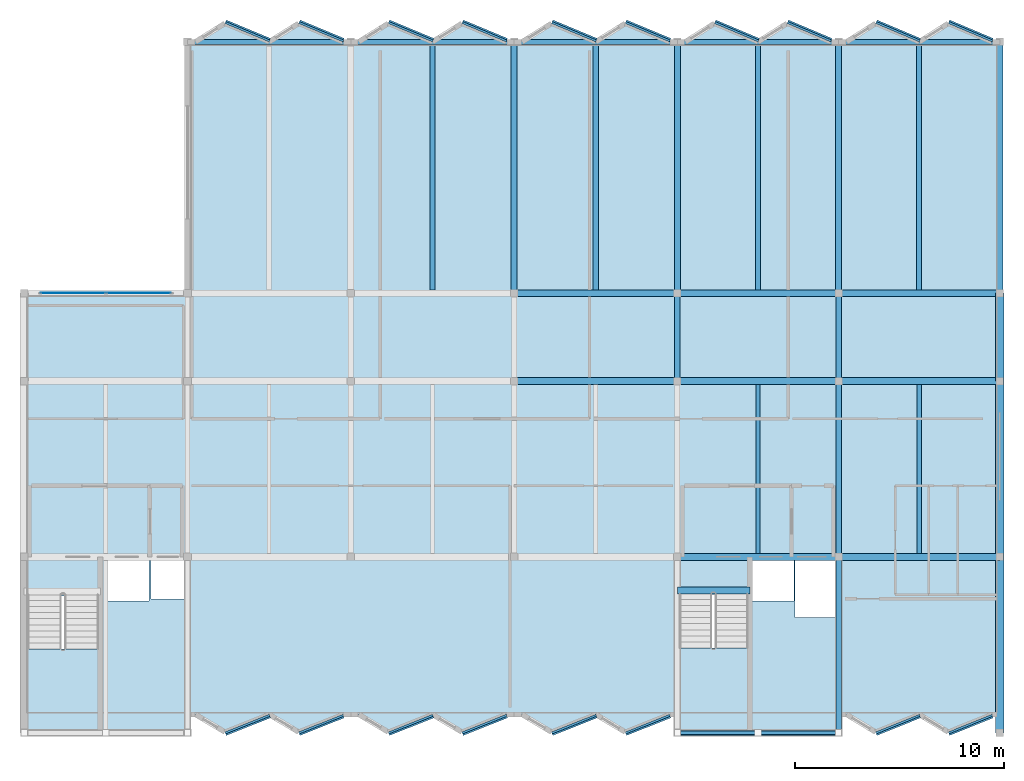
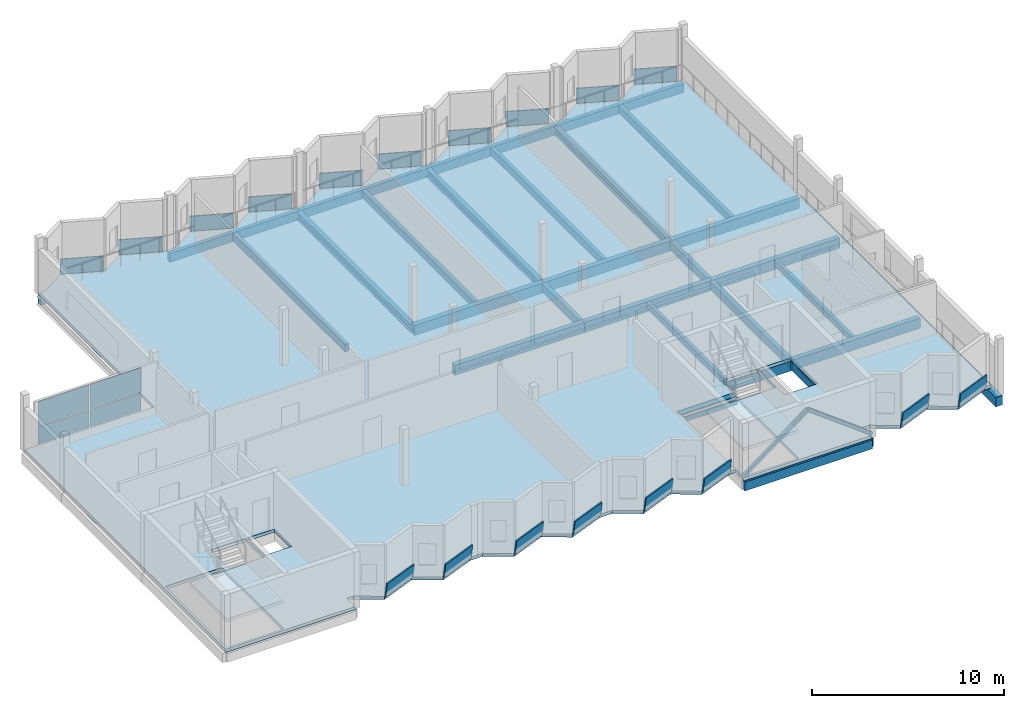
# One storey, part 3 of 11: 32 beams, 22 plates, 3 slabs, 2 members, 3 elements without a shape of their own.
"""IFC4 building model written with IfcOpenShell, lengths in metres."""

from ifc_helpers import new_model, si_unit, direction, frame, origin, origin_2d, place, context, subcontext, project, spatial, polyline, rectangle, hollow_rectangle, i_section, outline, extrude, material, layer, layer_set, material_profile, profile_set, type_object, element, aggregate, save


model = new_model("IFC4")

# Units and contexts
model_context = context("Model", 3, precision=1e-05, world=origin(), true_north=direction((0.0, 1.0)))
body_context = subcontext(model_context, "Body", "Model", "MODEL_VIEW")
ifc_project = project(units=[si_unit("LENGTHUNIT", "METRE"), si_unit("AREAUNIT", "SQUARE_METRE"), si_unit("VOLUMEUNIT", "CUBIC_METRE"), si_unit("PLANEANGLEUNIT", "RADIAN"), si_unit("MASSUNIT", "GRAM", prefix="KILO")], contexts=[model_context])

# Site, building, storey
site_placement = place(None, origin())
site = spatial("IfcSite", under=ifc_project, at=site_placement, CompositionType="ELEMENT")
building_placement = place(site_placement, origin())
building = spatial("IfcBuilding", under=site, at=building_placement, Name="Vharandega Faculty of Natural Sciences", CompositionType="ELEMENT")
storey_placement = place(building_placement, frame((0.0, 0.0, 39.60009765625)))
storey = spatial("IfcBuildingStorey", under=building, at=storey_placement, Name="L10", CompositionType="ELEMENT", Elevation=39.60009765625)

# Beams
ifc_material_1 = material(Name="Glulam GL28h", Category="wood")
ifc_material_profile_1 = material_profile(ifc_material_1, rectangle(XDim=0.260009765625, YDim=0.52001953125, at=origin_2d()), Name="GL28h 260x520")
ifc_profile_set_1 = profile_set([ifc_material_profile_1], Name="Glulam GL28h")
beam_type_1 = type_object("IfcBeamType", Name="Glulam Floor Beam 260x520", PredefinedType="BEAM", material=ifc_profile_set_1)
beam_1_placement = place(storey_placement, frame((146.0, 80.800048828125, -0.460205078125), z_axis=(0.0, 1.0, 0.0), x_axis=(-1.0, 0.0, 0.0)))
element("IfcBeam", 1, at=beam_1_placement, inside=storey, type_object=beam_type_1, Name="Beam L10 19/L-M", PredefinedType="BEAM", context=body_context, shape_type="SweptSolid", body=[
    extrude(rectangle(XDim=0.260009765625, YDim=0.52001953125, at=origin_2d()), origin(), (0.0, 0.0, 1.0), 4.199951171875),
])
beam_2_placement = place(storey_placement, frame((153.699951171875, 64.0, -0.460205078125), z_axis=(0.0, 1.0, 0.0), x_axis=(-1.0, 0.0, 0.0)))
element("IfcBeam", 2, at=beam_2_placement, inside=storey, type_object=beam_type_1, Name="Beam L10 20/J-K", PredefinedType="BEAM", context=body_context, shape_type="SweptSolid", body=[
    extrude(rectangle(XDim=0.260009765625, YDim=0.52001953125, at=origin_2d()), origin(), (0.0, 0.0, 1.0), 8.39990234375),
])
beam_3_placement = place(storey_placement, frame((153.699951171875, 72.39990234375, -0.460205078125), z_axis=(0.0, 1.0, 0.0), x_axis=(-1.0, 0.0, 0.0)))
element("IfcBeam", 3, at=beam_3_placement, inside=storey, type_object=beam_type_1, Name="Beam L10 20/K-L", PredefinedType="BEAM", context=body_context, shape_type="SweptSolid", body=[
    extrude(rectangle(XDim=0.260009765625, YDim=0.52001953125, at=origin_2d()), origin(), (0.0, 0.0, 1.0), 8.400146484375),
])
beam_4_placement = place(storey_placement, frame((153.699951171875, 80.800048828125, -0.460205078125), z_axis=(0.0, 1.0, 0.0), x_axis=(-1.0, 0.0, 0.0)))
element("IfcBeam", 4, at=beam_4_placement, inside=storey, type_object=beam_type_1, Name="Beam L10 20/L-M", PredefinedType="BEAM", context=body_context, shape_type="SweptSolid", body=[
    extrude(rectangle(XDim=0.260009765625, YDim=0.52001953125, at=origin_2d()), origin(), (0.0, 0.0, 1.0), 4.199951171875),
])
ifc_material_2 = material(Name="Glulam GL28h", Category="wood")
ifc_material_profile_2 = material_profile(ifc_material_2, rectangle(XDim=0.320068359375, YDim=0.639892578125, at=origin_2d()), Name="GL28h 320x640")
ifc_profile_set_2 = profile_set([ifc_material_profile_2], Name="Glulam GL28h")
beam_type_2 = type_object("IfcBeamType", Name="Glulam Floor Beam 320x640", PredefinedType="BEAM", material=ifc_profile_set_2)
for number, where, z_axis, x_axis, name in (
    (5, (146.0, 72.39990234375, -0.52001953125), (1.0, 0.0, 0.0), (0.0, 1.0, 0.0), "Beam L10 K/19-20"),
    (6, (153.699951171875, 72.39990234375, -0.52001953125), (1.0, 0.0, 0.0), (0.0, 1.0, 0.0), "Beam L10 K/20-21"),
):
    element("IfcBeam", number, at=place(storey_placement, frame(where, z_axis=z_axis, x_axis=x_axis)), inside=storey, type_object=beam_type_2, Name=name, PredefinedType="BEAM", context=body_context, shape_type="SweptSolid", body=[
        extrude(rectangle(XDim=0.320068359375, YDim=0.639892578125, at=origin_2d()), origin(), (0.0, 0.0, 1.0), 7.699951171875),
    ])
beam_5_placement = place(storey_placement, frame((138.199951171875, 80.800048828125, -0.52001953125), z_axis=(1.0, 0.0, 0.0), x_axis=(0.0, 1.0, 0.0)))
element("IfcBeam", 7, at=beam_5_placement, inside=storey, type_object=beam_type_2, Name="Beam L10 L/18-19", PredefinedType="BEAM", context=body_context, shape_type="SweptSolid", body=[
    extrude(rectangle(XDim=0.320068359375, YDim=0.639892578125, at=origin_2d()), origin(), (0.0, 0.0, 1.0), 7.800048828125),
])
for number, where, z_axis, x_axis, name in (
    (8, (146.0, 80.800048828125, -0.52001953125), (1.0, 0.0, 0.0), (0.0, 1.0, 0.0), "Beam L10 L/19-20"),
    (9, (153.699951171875, 80.800048828125, -0.52001953125), (1.0, 0.0, 0.0), (0.0, 1.0, 0.0), "Beam L10 L/20-21"),
):
    element("IfcBeam", number, at=place(storey_placement, frame(where, z_axis=z_axis, x_axis=x_axis)), inside=storey, type_object=beam_type_2, Name=name, PredefinedType="BEAM", context=body_context, shape_type="SweptSolid", body=[
        extrude(rectangle(XDim=0.320068359375, YDim=0.639892578125, at=origin_2d()), origin(), (0.0, 0.0, 1.0), 7.699951171875),
    ])
beam_6_placement = place(storey_placement, frame((138.199951171875, 85.0, -0.52001953125), z_axis=(1.0, 0.0, 0.0), x_axis=(0.0, 1.0, 0.0)))
element("IfcBeam", 10, at=beam_6_placement, inside=storey, type_object=beam_type_2, Name="Beam L10 M/18-19", PredefinedType="BEAM", context=body_context, shape_type="SweptSolid", body=[
    extrude(rectangle(XDim=0.320068359375, YDim=0.639892578125, at=origin_2d()), origin(), (0.0, 0.0, 1.0), 7.800048828125),
])
for number, where, z_axis, x_axis, name in (
    (11, (146.0, 85.0, -0.52001953125), (1.0, 0.0, 0.0), (0.0, 1.0, 0.0), "Beam L10 M/19-20"),
    (12, (153.699951171875, 85.0, -0.52001953125), (1.0, 0.0, 0.0), (0.0, 1.0, 0.0), "Beam L10 M/20-21"),
):
    element("IfcBeam", number, at=place(storey_placement, frame(where, z_axis=z_axis, x_axis=x_axis)), inside=storey, type_object=beam_type_2, Name=name, PredefinedType="BEAM", context=body_context, shape_type="SweptSolid", body=[
        extrude(rectangle(XDim=0.320068359375, YDim=0.639892578125, at=origin_2d()), origin(), (0.0, 0.0, 1.0), 7.699951171875),
    ])
ifc_material_3 = material(Name="Glulam GL28h", Category="wood")
ifc_material_profile_3 = material_profile(ifc_material_3, rectangle(XDim=0.199951171875, YDim=0.39990234375, at=origin_2d()), Name="GL28h 200x400")
ifc_profile_set_3 = profile_set([ifc_material_profile_3], Name="Glulam GL28h")
beam_type_3 = type_object("IfcBeamType", Name="Glulam Secondary Joist 200x400", PredefinedType="JOIST", material=ifc_profile_set_3)
for number, where, z_axis, x_axis, name in (
    (13, (149.85009765625, 72.56005859375, -0.400146484375), (0.0, 1.0, 0.0), (-1.0, 0.0, 0.0), "Secondary Joist L10 19-20/K-L"),
    (14, (157.550048828125, 72.56005859375, -0.400146484375), (0.0, 1.0, 0.0), (-1.0, 0.0, 0.0), "Secondary Joist L10 20-21/K-L"),
):
    element("IfcBeam", number, at=place(storey_placement, frame(where, z_axis=z_axis, x_axis=x_axis)), inside=storey, type_object=beam_type_3, Name=name, PredefinedType="JOIST", context=body_context, shape_type="SweptSolid", body=[
        extrude(rectangle(XDim=0.199951171875, YDim=0.39990234375, at=origin_2d()), origin(), (0.0, 0.0, 1.0), 8.079833984375),
    ])
ifc_material_4 = material(Name="Glulam GL28h", Category="wood")
ifc_material_profile_4 = material_profile(ifc_material_4, rectangle(XDim=0.239990234375, YDim=0.47998046875, at=origin_2d()), Name="GL28h 240x480")
ifc_profile_set_4 = profile_set([ifc_material_profile_4], Name="Glulam GL28h")
beam_type_4 = type_object("IfcBeamType", Name="Glulam Secondary Joist 240x480", PredefinedType="JOIST", material=ifc_profile_set_4)
for number, where, z_axis, x_axis, name in (
    (15, (134.300048828125, 85.159912109375, -0.440185546875), (0.0, 1.0, 0.0), (-1.0, 0.0, 0.0), "Secondary Joist L10 17-18/M-N"),
    (16, (142.10009765625, 85.159912109375, -0.440185546875), (0.0, 1.0, 0.0), (-1.0, 0.0, 0.0), "Secondary Joist L10 18-19/M-N"),
    (17, (149.85009765625, 85.159912109375, -0.440185546875), (0.0, 1.0, 0.0), (-1.0, 0.0, 0.0), "Secondary Joist L10 19-20/M-N"),
    (18, (157.550048828125, 85.159912109375, -0.440185546875), (0.0, 1.0, 0.0), (-1.0, 0.0, 0.0), "Secondary Joist L10 20-21/M-N"),
):
    element("IfcBeam", number, at=place(storey_placement, frame(where, z_axis=z_axis, x_axis=x_axis)), inside=storey, type_object=beam_type_4, Name=name, PredefinedType="JOIST", context=body_context, shape_type="SweptSolid", body=[
        extrude(rectangle(XDim=0.239990234375, YDim=0.47998046875, at=origin_2d()), origin(), (0.0, 0.0, 1.0), 11.719970703125),
    ])
ifc_material_5 = material(Name="Glulam GL28h", Category="wood")
ifc_material_profile_5 = material_profile(ifc_material_5, rectangle(XDim=0.239990234375, YDim=0.56005859375, at=origin_2d()), Name="GL28h 240x560")
ifc_profile_set_5 = profile_set([ifc_material_profile_5], Name="Glulam GL28h")
beam_type_5 = type_object("IfcBeamType", Name="Glulam Spandrel Edge Beam 240x560", PredefinedType="SPANDREL", material=ifc_profile_set_5)
beam_7_placement = place(storey_placement, frame((146.0, 64.0, -0.47998046875), z_axis=(1.0, 0.0, 0.0), x_axis=(0.0, 1.0, 0.0)))
element("IfcBeam", 19, at=beam_7_placement, inside=storey, type_object=beam_type_5, Name="Beam L10 J/19-20", PredefinedType="SPANDREL", context=body_context, shape_type="SweptSolid", body=[
    extrude(rectangle(XDim=0.239990234375, YDim=0.56005859375, at=origin_2d()), origin(), (0.0, 0.0, 1.0), 7.699951171875),
])
beam_8_placement = place(storey_placement, frame((122.60009765625, 97.0, -0.47998046875), z_axis=(1.0, 0.0, 0.0), x_axis=(0.0, 1.0, 0.0)))
element("IfcBeam", 20, at=beam_8_placement, inside=storey, type_object=beam_type_5, Name="Beam L10 N/16-17", PredefinedType="SPANDREL", context=body_context, shape_type="SweptSolid", body=[
    extrude(rectangle(XDim=0.239990234375, YDim=0.56005859375, at=origin_2d()), origin(), (0.0, 0.0, 1.0), 7.7998046875),
])
for number, where, z_axis, x_axis, name in (
    (21, (130.39990234375, 97.0, -0.47998046875), (1.0, 0.0, 0.0), (0.0, 1.0, 0.0), "Beam L10 N/17-18"),
    (22, (138.199951171875, 97.0, -0.47998046875), (1.0, 0.0, 0.0), (0.0, 1.0, 0.0), "Beam L10 N/18-19"),
):
    element("IfcBeam", number, at=place(storey_placement, frame(where, z_axis=z_axis, x_axis=x_axis)), inside=storey, type_object=beam_type_5, Name=name, PredefinedType="SPANDREL", context=body_context, shape_type="SweptSolid", body=[
        extrude(rectangle(XDim=0.239990234375, YDim=0.56005859375, at=origin_2d()), origin(), (0.0, 0.0, 1.0), 7.800048828125),
    ])
for number, where, z_axis, x_axis, name in (
    (23, (146.0, 97.0, -0.47998046875), (1.0, 0.0, 0.0), (0.0, 1.0, 0.0), "Beam L10 N/19-20"),
    (24, (153.699951171875, 97.0, -0.47998046875), (1.0, 0.0, 0.0), (0.0, 1.0, 0.0), "Beam L10 N/20-21"),
):
    element("IfcBeam", number, at=place(storey_placement, frame(where, z_axis=z_axis, x_axis=x_axis)), inside=storey, type_object=beam_type_5, Name=name, PredefinedType="SPANDREL", context=body_context, shape_type="SweptSolid", body=[
        extrude(rectangle(XDim=0.239990234375, YDim=0.56005859375, at=origin_2d()), origin(), (0.0, 0.0, 1.0), 7.699951171875),
    ])
ifc_material_6 = material(Name="Glulam GL32h", Category="wood")
ifc_material_profile_6 = material_profile(ifc_material_6, rectangle(XDim=0.39990234375, YDim=0.60009765625, at=origin_2d()), Name="GL32h 400x600")
ifc_profile_set_6 = profile_set([ifc_material_profile_6], Name="Glulam GL32h")
beam_type_6 = type_object("IfcBeamType", Name="Glulam Spine Girder 400x600", PredefinedType="BEAM", material=ifc_profile_set_6)
beam_9_placement = place(storey_placement, frame((161.39990234375, 64.0, -0.5), z_axis=(0.0, 1.0, 0.0), x_axis=(-1.0, 0.0, 0.0)))
element("IfcBeam", 25, at=beam_9_placement, inside=storey, type_object=beam_type_6, Name="Beam L10 21/J-K", PredefinedType="BEAM", context=body_context, shape_type="SweptSolid", body=[
    extrude(rectangle(XDim=0.39990234375, YDim=0.60009765625, at=origin_2d()), origin(), (0.0, 0.0, 1.0), 8.39990234375),
])
beam_10_placement = place(storey_placement, frame((161.39990234375, 72.39990234375, -0.5), z_axis=(0.0, 1.0, 0.0), x_axis=(-1.0, 0.0, 0.0)))
element("IfcBeam", 26, at=beam_10_placement, inside=storey, type_object=beam_type_6, Name="Beam L10 21/K-L", PredefinedType="BEAM", context=body_context, shape_type="SweptSolid", body=[
    extrude(rectangle(XDim=0.39990234375, YDim=0.60009765625, at=origin_2d()), origin(), (0.0, 0.0, 1.0), 8.400146484375),
])
beam_11_placement = place(storey_placement, frame((161.39990234375, 80.800048828125, -0.5), z_axis=(0.0, 1.0, 0.0), x_axis=(-1.0, 0.0, 0.0)))
element("IfcBeam", 27, at=beam_11_placement, inside=storey, type_object=beam_type_6, Name="Beam L10 21/L-M", PredefinedType="BEAM", context=body_context, shape_type="SweptSolid", body=[
    extrude(rectangle(XDim=0.39990234375, YDim=0.60009765625, at=origin_2d()), origin(), (0.0, 0.0, 1.0), 4.199951171875),
])
ifc_material_7 = material(Name="Concrete C40/50", Category="concrete")
ifc_material_profile_7 = material_profile(ifc_material_7, rectangle(XDim=0.35009765625, YDim=0.550048828125, at=origin_2d()), Name="RC 350x550")
ifc_profile_set_7 = profile_set([ifc_material_profile_7], Name="Concrete C40/50")
beam_type_7 = type_object("IfcBeamType", Name="Stair Header Trimmer Beam 350x550", PredefinedType="BEAM", material=ifc_profile_set_7)
beam_12_placement = place(storey_placement, frame((146.0, 70.800048828125, -0.275146484375), z_axis=(1.0, 0.0, 0.0), x_axis=(0.0, 1.0, 0.0)))
element("IfcBeam", 28, at=beam_12_placement, inside=storey, type_object=beam_type_7, Name="Stair Landing Trimmer Beam C2 L10", PredefinedType="BEAM", context=body_context, shape_type="SweptSolid", body=[
    extrude(rectangle(XDim=0.35009765625, YDim=0.550048828125, at=origin_2d()), origin(), (0.0, 0.0, 1.0), 3.4599609375),
])
ifc_material_8 = material(Name="Steel S355", Category="steel")
ifc_material_profile_8 = material_profile(ifc_material_8, i_section(OverallWidth=0.300048828125, OverallDepth=0.5, WebThickness=0.014404296875, FlangeThickness=0.028076171875, FilletRadius=0.027099609375, at=origin_2d()), Name="HEB 500")
ifc_profile_set_8 = profile_set([ifc_material_profile_8], Name="Steel S355")
beam_type_8 = type_object("IfcBeamType", Name="Steel Collector Beam HEB 500", PredefinedType="BEAM", material=ifc_profile_set_8)
for number, where, z_axis, x_axis, name in (
    (29, (138.199951171875, 85.0, -0.4501953125), (0.0, 1.0, 0.0), (-1.0, 0.0, 0.0), "Beam L10 18/M-N"),
    (30, (146.0, 85.0, -0.4501953125), (0.0, 1.0, 0.0), (-1.0, 0.0, 0.0), "Beam L10 19/M-N"),
    (31, (153.699951171875, 85.0, -0.4501953125), (0.0, 1.0, 0.0), (-1.0, 0.0, 0.0), "Beam L10 20/M-N"),
    (32, (161.39990234375, 85.0, -0.4501953125), (0.0, 1.0, 0.0), (-1.0, 0.0, 0.0), "Beam L10 21/M-N"),
):
    element("IfcBeam", number, at=place(storey_placement, frame(where, z_axis=z_axis, x_axis=x_axis)), inside=storey, type_object=beam_type_8, Name=name, PredefinedType="BEAM", context=body_context, shape_type="SweptSolid", body=[
        extrude(i_section(OverallWidth=0.300048828125, OverallDepth=0.5, WebThickness=0.014404296875, FlangeThickness=0.028076171875, FilletRadius=0.027099609375, at=origin_2d()), origin(), (0.0, 0.0, 1.0), 12.0),
    ])

# Members
ifc_material_9 = material(Name="Steel S355", Category="steel")
ifc_material_profile_9 = material_profile(ifc_material_9, hollow_rectangle(XDim=0.179931640625, YDim=0.179931640625, WallThickness=0.010009765625, at=origin_2d()), Name="SHS 180x180x10")
ifc_profile_set_9 = profile_set([ifc_material_profile_9], Name="Steel S355")
member_type = type_object("IfcMemberType", Name="Timber Frame Diagonal Brace SHS 180", PredefinedType="BRACE", material=ifc_profile_set_9)
member_1_placement = place(storey_placement, frame((146.0, 64.0, 0.14990234375), z_axis=(0.799768682163, 0.0, 0.600308299985), x_axis=(0.0, 1.0, 0.0)))
element("IfcMember", 33, at=member_1_placement, inside=storey, type_object=member_type, Name="Chevron Brace J2 L10-1", PredefinedType="BRACE", context=body_context, shape_type="SweptSolid", body=[
    extrude(hollow_rectangle(XDim=0.179931640625, YDim=0.179931640625, WallThickness=0.010009765625, at=origin_2d()), origin(), (0.0, 0.0, 1.0), 4.81396484375),
])
member_2_placement = place(storey_placement, frame((153.699951171875, 64.0, 0.14990234375), z_axis=(-0.799750405041, 0.0, 0.600332649151), x_axis=(0.0, -1.0, 0.0)))
element("IfcMember", 34, at=member_2_placement, inside=storey, type_object=member_type, Name="Chevron Brace J2 L10-2", PredefinedType="BRACE", context=body_context, shape_type="SweptSolid", body=[
    extrude(hollow_rectangle(XDim=0.179931640625, YDim=0.179931640625, WallThickness=0.010009765625, at=origin_2d()), origin(), (0.0, 0.0, 1.0), 4.813720703125),
])

# Curtain wall, plates
ifc_material_10 = material(Name="Aluminium and solar-control glass curtain wall", Category="aluminium")
curtain_wall_type = type_object("IfcCurtainWallType", Name="Unitised Curtain Wall System CW-04", PredefinedType="NOTDEFINED", material=ifc_material_10)
curtain_wall_placement = place(storey_placement, origin())
curtain_wall = element("IfcCurtainWall", 35, at=curtain_wall_placement, inside=storey, type_object=curtain_wall_type, Name="Curtain Wall CW-L10-031", PredefinedType="NOTDEFINED")
ifc_material_11 = material(Name="Double-glazed low-E solar glass", Category="glass")
ifc_layer_1 = layer(ifc_material_11, 0.028076171875, Name="Double-glazed low-E solar glass")
ifc_layer_set_1 = layer_set([ifc_layer_1], Name="Double-glazed low-E solar glass")
plate_type_1 = type_object("IfcPlateType", Name="CW Solar Vision Panel 28mm", PredefinedType="CURTAIN_PANEL", material=ifc_layer_set_1)
plate_1_placement = place(storey_placement, frame((117.135009765625, 85.0, 0.059814453125), z_axis=(0.0, 0.0, 1.0), x_axis=(1.0, 0.0, 0.0)))
plate_1 = element("IfcPlate", 36, at=plate_1_placement, type_object=plate_type_1, Name="CW-04 panel 1.1", PredefinedType="CURTAIN_PANEL", context=body_context, shape_type="SweptSolid", body=[
    extrude(rectangle(XDim=3.070068359375, YDim=0.028076171875, at=origin_2d()), origin(), (0.0, 0.0, 1.0), 1.0986328125),
])
plate_2_placement = place(storey_placement, frame((117.135009765625, 85.0, 1.21826171875), z_axis=(0.0, 0.0, 1.0), x_axis=(1.0, 0.0, 0.0)))
plate_2 = element("IfcPlate", 37, at=plate_2_placement, type_object=plate_type_1, Name="CW-04 panel 1.2", PredefinedType="CURTAIN_PANEL", context=body_context, shape_type="SweptSolid", body=[
    extrude(rectangle(XDim=3.070068359375, YDim=0.028076171875, at=origin_2d()), origin(), (0.0, 0.0, 1.0), 1.551513671875),
])
plate_3_placement = place(storey_placement, frame((120.264892578125, 85.0, 0.059814453125), z_axis=(0.0, 0.0, 1.0), x_axis=(1.0, 0.0, 0.0)))
plate_3 = element("IfcPlate", 38, at=plate_3_placement, type_object=plate_type_1, Name="CW-04 panel 2.1", PredefinedType="CURTAIN_PANEL", context=body_context, shape_type="SweptSolid", body=[
    extrude(rectangle(XDim=3.070068359375, YDim=0.028076171875, at=origin_2d()), origin(), (0.0, 0.0, 1.0), 1.0986328125),
])
plate_4_placement = place(storey_placement, frame((120.264892578125, 85.0, 1.21826171875), z_axis=(0.0, 0.0, 1.0), x_axis=(1.0, 0.0, 0.0)))
plate_4 = element("IfcPlate", 39, at=plate_4_placement, type_object=plate_type_1, Name="CW-04 panel 2.2", PredefinedType="CURTAIN_PANEL", context=body_context, shape_type="SweptSolid", body=[
    extrude(rectangle(XDim=3.070068359375, YDim=0.028076171875, at=origin_2d()), origin(), (0.0, 0.0, 1.0), 1.551513671875),
])
aggregate(curtain_wall, [plate_1, plate_2, plate_3, plate_4])

# Slab
ifc_material_12 = material(Name="Cross-laminated timber CLT5-180", Category="wood")
ifc_layer_2 = layer(ifc_material_12, 0.199951171875, Name="Cross-laminated timber CLT5-180")
ifc_layer_set_2 = layer_set([ifc_layer_2], Name="Cross-laminated timber CLT5-180")
slab_type_1 = type_object("IfcSlabType", Name="SLAB-CLT-200", PredefinedType="FLOOR", material=ifc_layer_set_2)
slab_1_placement = place(storey_placement, frame((0.0, 0.0, -0.2001953125)))
element("IfcSlab", 40, at=slab_1_placement, inside=storey, type_object=slab_type_1, Name="L10 V4 Floor Slab", PredefinedType="FLOOR", context=body_context, shape_type="SweptSolid", body=[
    extrude(outline(polyline([(114.800048828125, 64.0), (122.60009765625, 64.0), (122.60009765625, 64.8798828125), (122.97998046875, 64.8798828125), (124.387939453125, 64.0400390625), (126.5, 64.8798828125), (126.5, 64.8798828125), (127.907958984375, 64.0400390625), (130.02001953125, 64.8798828125), (130.780029296875, 64.8798828125), (132.18798828125, 64.0400390625), (134.300048828125, 64.8798828125), (134.300048828125, 64.8798828125), (135.7080078125, 64.0400390625), (137.820068359375, 64.8798828125), (138.580078125, 64.8798828125), (139.988037109375, 64.0400390625), (142.10009765625, 64.8798828125), (142.10009765625, 64.8798828125), (143.508056640625, 64.0400390625), (145.6201171875, 64.8798828125), (146.0, 64.8798828125), (146.0, 64.0), (153.699951171875, 64.0), (153.699951171875, 64.8798828125), (154.080078125, 64.8798828125), (155.468017578125, 64.0400390625), (157.550048828125, 64.8798828125), (157.550048828125, 64.8798828125), (158.93798828125, 64.0400390625), (161.02001953125, 64.8798828125), (161.39990234375, 64.8798828125), (161.39990234375, 64.0), (161.39990234375, 97.0), (161.02001953125, 97.0), (158.93798828125, 97.8798828125), (157.550048828125, 97.0), (157.550048828125, 97.0), (155.468017578125, 97.8798828125), (154.080078125, 97.0), (153.320068359375, 97.0), (151.238037109375, 97.8798828125), (149.85009765625, 97.0), (149.85009765625, 97.0), (147.76806640625, 97.8798828125), (146.3798828125, 97.0), (145.6201171875, 97.0), (143.508056640625, 97.8798828125), (142.10009765625, 97.0), (142.10009765625, 97.0), (139.988037109375, 97.8798828125), (138.580078125, 97.0), (137.820068359375, 97.0), (135.7080078125, 97.8798828125), (134.300048828125, 97.0), (134.300048828125, 97.0), (132.18798828125, 97.8798828125), (130.780029296875, 97.0), (130.02001953125, 97.0), (127.907958984375, 97.8798828125), (126.5, 97.0), (126.5, 97.0), (124.387939453125, 97.8798828125), (122.97998046875, 97.0), (122.60009765625, 97.0), (122.60009765625, 85.0), (114.800048828125, 85.0), (114.800048828125, 64.0)]), holes=[polyline([(114.93994140625, 70.544921875), (114.93994140625, 64.139892578125), (118.360107421875, 64.139892578125), (118.360107421875, 70.544921875), (114.93994140625, 70.544921875)]), polyline([(118.64990234375, 70.300048828125), (120.75, 70.300048828125), (120.75, 72.219970703125), (118.64990234375, 72.219970703125), (118.64990234375, 70.300048828125)]), polyline([(120.85009765625, 70.39990234375), (122.47998046875, 70.39990234375), (122.47998046875, 72.219970703125), (120.85009765625, 72.219970703125), (120.85009765625, 70.39990234375)]), polyline([(146.06005859375, 70.594970703125), (146.06005859375, 64.139892578125), (149.3798828125, 64.139892578125), (149.3798828125, 70.594970703125), (146.06005859375, 70.594970703125)]), polyline([(149.449951171875, 70.300048828125), (151.570068359375, 70.300048828125), (151.570068359375, 72.219970703125), (149.449951171875, 72.219970703125), (149.449951171875, 70.300048828125)]), polyline([(151.6201171875, 69.5), (153.639892578125, 69.5), (153.639892578125, 72.219970703125), (151.6201171875, 72.219970703125), (151.6201171875, 69.5)])]), origin(), (0.0, 0.0, 1.0), 0.2001953125),
])

# Plates
ifc_material_13 = material(Name="White precast concrete C40/50", Category="concrete")
ifc_layer_3 = layer(ifc_material_13, 0.080078125, Name="White precast concrete C40/50")
ifc_layer_set_3 = layer_set([ifc_layer_3], Name="White precast concrete C40/50")
plate_type_2 = type_object("IfcPlateType", Name="Sawtooth Tilted White Precast Prism 80", PredefinedType="USERDEFINED", material=ifc_layer_set_3)
for number, where, z_axis, x_axis, name in (
    (41, (124.387939453125, 97.8798828125, 0.0), (-0.38213008843, -0.917133415176, 0.113326494182), (0.043508814605, 0.104641694763, 0.993557798404), "Sawtooth Tilted Precast Prism L10 N01"),
    (42, (127.907958984375, 97.8798828125, 0.0), (-0.38213008843, -0.917133415176, 0.113326494182), (0.043508814605, 0.104641694763, 0.993557798404), "Sawtooth Tilted Precast Prism L10 N02"),
    (43, (132.18798828125, 97.8798828125, 0.0), (-0.38213008843, -0.917133415176, 0.113326494182), (0.043508814605, 0.104641694763, 0.993557798404), "Sawtooth Tilted Precast Prism L10 N03"),
    (44, (135.7080078125, 97.8798828125, 0.0), (-0.38213008843, -0.917133415176, 0.113326494182), (0.043508814605, 0.104641694763, 0.993557798404), "Sawtooth Tilted Precast Prism L10 N04"),
    (45, (139.988037109375, 97.8798828125, 0.0), (-0.38213008843, -0.917133415176, 0.113326494182), (0.043508814605, 0.104641694763, 0.993557798404), "Sawtooth Tilted Precast Prism L10 N05"),
    (46, (143.508056640625, 97.8798828125, 0.0), (-0.38213008843, -0.917133415176, 0.113326494182), (0.043508814605, 0.104641694763, 0.993557798404), "Sawtooth Tilted Precast Prism L10 N06"),
):
    element("IfcPlate", number, at=place(storey_placement, frame(where, z_axis=z_axis, x_axis=x_axis)), inside=storey, type_object=plate_type_2, Name=name, ObjectType="FACADE PRISM", PredefinedType="USERDEFINED", context=body_context, shape_type="SweptSolid", body=[
        extrude(outline(polyline([(0.0, 0.0), (0.8856007183018657, -3.821812658011403e-18), (0.8853959930890345, -2.288104707577155), (-0.00017917792407083633, -2.2880108113294035), (0.0, 0.0)])), origin(), (0.0, 0.0, -1.0), 0.080078125),
    ])
plate_5_placement = place(storey_placement, frame((147.76806640625, 97.8798828125, 0.0), z_axis=(-0.386817749414, -0.915184288252, 0.113180154068), x_axis=(0.043784739317, 0.104368261997, 0.993574437317)))
element("IfcPlate", 47, at=plate_5_placement, inside=storey, type_object=plate_type_2, Name="Sawtooth Tilted Precast Prism L10 N07", ObjectType="FACADE PRISM", PredefinedType="USERDEFINED", context=body_context, shape_type="SweptSolid", body=[
    extrude(outline(polyline([(0.0, 0.0), (0.8855858439795705, -2.168404344971009e-19), (0.8848897190759801, -2.260415245596067), (-0.0006706443708762028, -2.2603202046314035), (0.0, 0.0)])), origin(), (0.0, 0.0, -1.0), 0.080078125),
])
plate_6_placement = place(storey_placement, frame((151.238037109375, 97.8798828125, 0.0), z_axis=(-0.386834642075, -0.915170595171, 0.113233128658), x_axis=(0.04403926033, 0.104318203212, 0.993568445568)))
element("IfcPlate", 48, at=plate_6_placement, inside=storey, type_object=plate_type_2, Name="Sawtooth Tilted Precast Prism L10 N08", ObjectType="FACADE PRISM", PredefinedType="USERDEFINED", context=body_context, shape_type="SweptSolid", body=[
    extrude(outline(polyline([(0.0, 0.0), (0.8855965718986443, -2.9205696021328276e-18), (0.8854636740121182, -2.2601904741535517), (-9.667780265362746e-05, -2.260320299228002), (0.0, 0.0)])), origin(), (0.0, 0.0, -1.0), 0.080078125),
])
for number, where, z_axis, x_axis, name in (
    (49, (155.468017578125, 97.8798828125, 0.0), (-0.386813048349, -0.915173165855, 0.113286107384), (0.044059889025, 0.104366999659, 0.993562406475), "Sawtooth Tilted Precast Prism L10 N09"),
    (50, (158.93798828125, 97.8798828125, 0.0), (-0.386813048349, -0.915173165855, 0.113286107384), (0.044059889025, 0.104366999659, 0.993562406475), "Sawtooth Tilted Precast Prism L10 N10"),
):
    element("IfcPlate", number, at=place(storey_placement, frame(where, z_axis=z_axis, x_axis=x_axis)), inside=storey, type_object=plate_type_2, Name=name, ObjectType="FACADE PRISM", PredefinedType="USERDEFINED", context=body_context, shape_type="SweptSolid", body=[
        extrude(outline(polyline([(0.0, 0.0), (0.885596579114325, -4.126744519022951e-18), (0.8854744355192941, -2.260415349486517), (-9.666337050474871e-05, -2.2603203020557325), (0.0, 0.0)])), origin(), (0.0, 0.0, -1.0), 0.080078125),
    ])
for number, where, z_axis, x_axis, name in (
    (51, (126.5, 64.8798828125, 0.0), (-0.367171311911, 0.923237616435, 0.113214536648), (0.041951531837, -0.10515519478, 0.993570558132), "Sawtooth Tilted Precast Prism L10 S01"),
    (52, (130.02001953125, 64.8798828125, 0.0), (-0.367171311911, 0.923237616435, 0.113214536648), (0.041951531837, -0.10515519478, 0.993570558132), "Sawtooth Tilted Precast Prism L10 S02"),
    (53, (134.300048828125, 64.8798828125, 0.0), (-0.367171311911, 0.923237616435, 0.113214536648), (0.041951531837, -0.10515519478, 0.993570558132), "Sawtooth Tilted Precast Prism L10 S03"),
    (54, (137.820068359375, 64.8798828125, 0.0), (-0.367171311911, 0.923237616435, 0.113214536648), (0.041951531837, -0.10515519478, 0.993570558132), "Sawtooth Tilted Precast Prism L10 S04"),
    (55, (142.10009765625, 64.8798828125, 0.0), (-0.367171311911, 0.923237616435, 0.113214536648), (0.041951531837, -0.10515519478, 0.993570558132), "Sawtooth Tilted Precast Prism L10 S05"),
):
    element("IfcPlate", number, at=place(storey_placement, frame(where, z_axis=z_axis, x_axis=x_axis)), inside=storey, type_object=plate_type_2, Name=name, ObjectType="FACADE PRISM", PredefinedType="USERDEFINED", context=body_context, shape_type="SweptSolid", body=[
        extrude(outline(polyline([(0.0, 0.0), (0.8855637337790956, 5.339695699491109e-18), (0.8852991642756181, -2.2730040331997645), (-0.0002902421584531911, -2.2729138085590064), (0.0, 0.0)])), origin(), (0.0, 0.0, -1.0), 0.080078125),
    ])
plate_7_placement = place(storey_placement, frame((145.6201171875, 64.8798828125, 0.0), z_axis=(-0.367191753184, 0.923235652062, 0.113164248576), x_axis=(0.041694910845, -0.105203136477, 0.993576285187)))
element("IfcPlate", 56, at=plate_7_placement, inside=storey, type_object=plate_type_2, Name="Sawtooth Tilted Precast Prism L10 S06", ObjectType="FACADE PRISM", PredefinedType="USERDEFINED", context=body_context, shape_type="SweptSolid", body=[
    extrude(outline(polyline([(0.0, 0.0), (0.8855535298700004, 3.130633773051894e-18), (0.8858814141010081, -2.272777170195068), (0.00029202044992326925, -2.272913805666767), (0.0, 0.0)])), origin(), (0.0, 0.0, -1.0), 0.080078125),
])
plate_8_placement = place(storey_placement, frame((157.550048828125, 64.8798828125, 0.0), z_axis=(-0.371753343199, 0.921414513626, 0.113113862546), x_axis=(0.042247493707, -0.10492807804, 0.993582028679)))
element("IfcPlate", 57, at=plate_8_placement, inside=storey, type_object=plate_type_2, Name="Sawtooth Tilted Precast Prism L10 S07", ObjectType="FACADE PRISM", PredefinedType="USERDEFINED", context=body_context, shape_type="SweptSolid", body=[
    extrude(outline(polyline([(0.0, 0.0), (0.8855483807500657, 1.1926223897340549e-18), (0.8857469006956997, -2.2449020398239097), (0.00016258840956297205, -2.245037104155892), (0.0, 0.0)])), origin(), (0.0, 0.0, -1.0), 0.080078125),
])
plate_9_placement = place(storey_placement, frame((161.02001953125, 64.8798828125, 0.0), z_axis=(-0.371732429173, 0.921416699894, 0.113164774806), x_axis=(0.042503638669, -0.104879636127, 0.993576218831)))
element("IfcPlate", 58, at=plate_9_placement, inside=storey, type_object=plate_type_2, Name="Sawtooth Tilted Precast Prism L10 S08", ObjectType="FACADE PRISM", PredefinedType="USERDEFINED", context=body_context, shape_type="SweptSolid", body=[
    extrude(outline(polyline([(0.0, 0.0), (0.8855587194211085, 1.6805133673525319e-18), (0.8851729277563166, -2.2451284213747997), (-0.0004113970447056914, -2.2450370750818083), (0.0, 0.0)])), origin(), (0.0, 0.0, -1.0), 0.080078125),
])

# Stair, slab
ifc_material_14 = material(Name="Concrete C40/50", Category="concrete")
stair_type_1 = type_object("IfcStairType", Name="Escape Dog-Leg Stair W165 H360", PredefinedType="HALF_TURN_STAIR", material=ifc_material_14)
stair_1_placement = place(storey_placement, origin())
stair_1 = element("IfcStair", 59, at=stair_1_placement, inside=storey, type_object=stair_type_1, Name="L10 Escape Stair ST1", PredefinedType="HALF_TURN_STAIR")
ifc_material_15 = material(Name="Concrete C40/50", Category="concrete")
ifc_layer_4 = layer(ifc_material_15, 0.199951171875, Name="Concrete C40/50")
ifc_layer_set_4 = layer_set([ifc_layer_4], Name="Concrete C40/50")
slab_type_2 = type_object("IfcSlabType", Name="Stair Half-Landing Slab 200", PredefinedType="LANDING", material=ifc_layer_set_4)
slab_2_placement = place(storey_placement, frame((0.0, 0.0, 1.599853515625)))
slab_2 = element("IfcSlab", 60, at=slab_2_placement, type_object=slab_type_2, Name="ST1 landing 1", PredefinedType="LANDING", context=body_context, shape_type="SweptSolid", body=[
    extrude(outline(polyline([(114.93994140625, 68.0), (114.93994140625, 64.139892578125), (118.360107421875, 64.139892578125), (118.360107421875, 68.0), (114.93994140625, 68.0)])), origin(), (0.0, 0.0, 1.0), 0.199951171875),
])
aggregate(stair_1, [slab_2])

ifc_material_16 = material(Name="Concrete C40/50", Category="concrete")
stair_type_2 = type_object("IfcStairType", Name="Escape Dog-Leg Stair W160 H360", PredefinedType="HALF_TURN_STAIR", material=ifc_material_16)
stair_2_placement = place(storey_placement, origin())
stair_2 = element("IfcStair", 61, at=stair_2_placement, inside=storey, type_object=stair_type_2, Name="L10 Escape Stair ST2", PredefinedType="HALF_TURN_STAIR")
slab_3_placement = place(storey_placement, frame((0.0, 0.0, 1.599853515625)))
slab_3 = element("IfcSlab", 62, at=slab_3_placement, type_object=slab_type_2, Name="ST2 landing 1", PredefinedType="LANDING", context=body_context, shape_type="SweptSolid", body=[
    extrude(outline(polyline([(146.06005859375, 68.050048828125), (146.06005859375, 64.139892578125), (149.3798828125, 64.139892578125), (149.3798828125, 68.050048828125), (146.06005859375, 68.050048828125)])), origin(), (0.0, 0.0, 1.0), 0.199951171875),
])
aggregate(stair_2, [slab_3])

save(model, "model.ifc")
